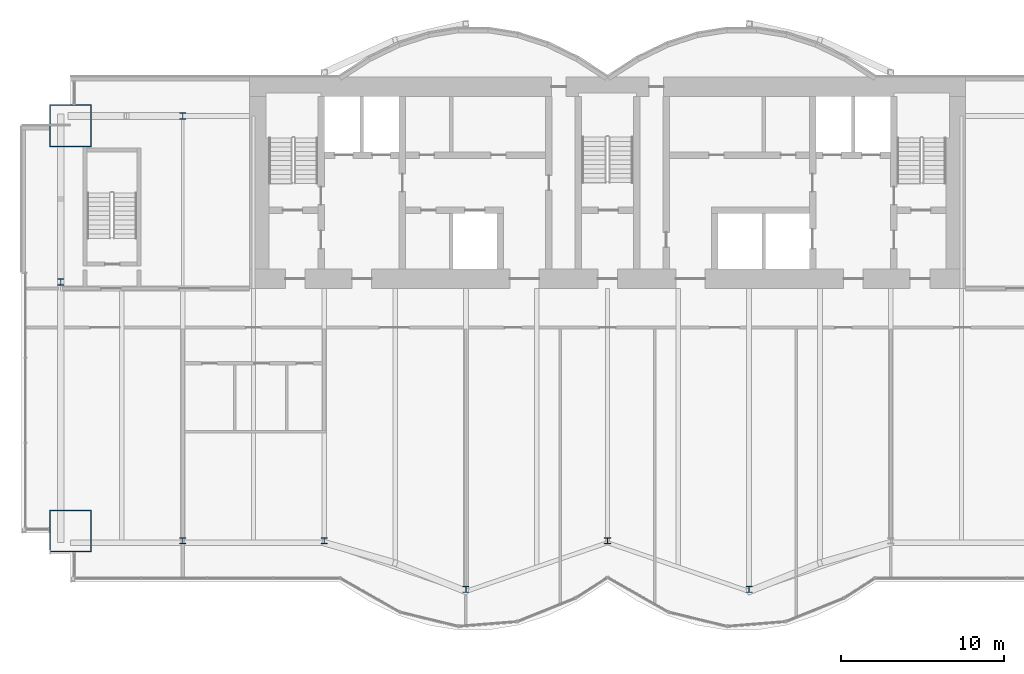
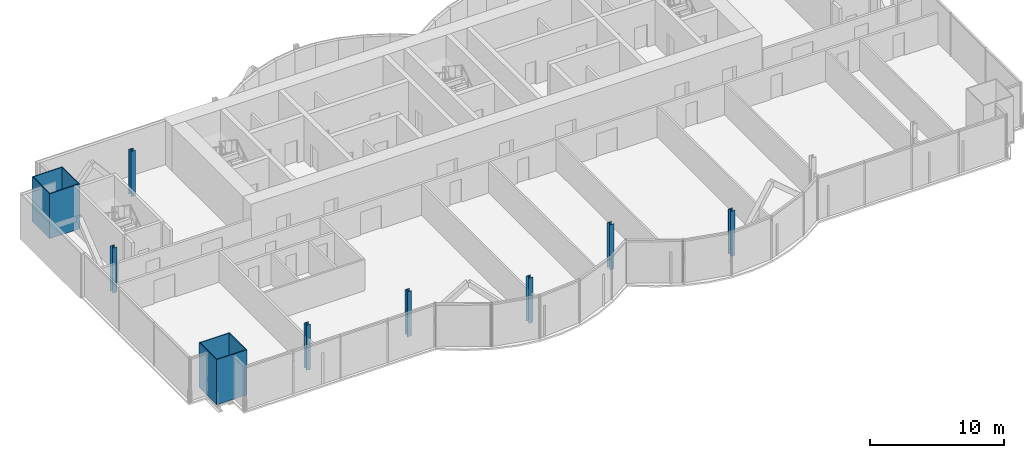
# One storey, part 1 of 20: 9 columns.
"""IFC4 building model written with IfcOpenShell, lengths in metres."""

from ifc_helpers import new_model, si_unit, direction, frame, origin, origin_2d, place, context, subcontext, project, spatial, hollow_rectangle, i_section, extrude, material, material_profile, profile_set, type_object, element, save


model = new_model("IFC4")

# Units and contexts
model_context = context("Model", 3, precision=1e-05, world=origin(), true_north=direction((0.0, 1.0)))
body_context = subcontext(model_context, "Body", "Model", "MODEL_VIEW")
ifc_project = project(units=[si_unit("LENGTHUNIT", "METRE"), si_unit("AREAUNIT", "SQUARE_METRE"), si_unit("VOLUMEUNIT", "CUBIC_METRE"), si_unit("PLANEANGLEUNIT", "RADIAN"), si_unit("MASSUNIT", "GRAM", prefix="KILO")], contexts=[model_context])

# Site, building, storey
site_placement = place(None, origin())
site = spatial("IfcSite", under=ifc_project, at=site_placement, CompositionType="ELEMENT")
building_placement = place(site_placement, origin())
building = spatial("IfcBuilding", under=site, at=building_placement, Name="Bicima Exchange Tower", CompositionType="ELEMENT")
storey_placement = place(building_placement, frame((0.0, 0.0, 227.800048828125)))
storey = spatial("IfcBuildingStorey", under=building, at=storey_placement, Name="L51", CompositionType="ELEMENT", Elevation=227.800048828125)

# Columns
ifc_material_1 = material(Name="Steel ASTM A572 Gr 50", Category="steel")
ifc_material_profile_1 = material_profile(ifc_material_1, hollow_rectangle(XDim=2.60009765625, YDim=2.60009765625, WallThickness=0.070068359375, at=origin_2d()))
ifc_profile_set_1 = profile_set([ifc_material_profile_1], Name="Steel ASTM A572 Gr 50")
column_type_1 = type_object("IfcColumnType", Name="Mega column BOX 2600x2600x70", PredefinedType="COLUMN", material=ifc_profile_set_1)
for number, where, z_axis, x_axis, name in (
    (1, (-33.0, -27.89794921875, 0.0), (0.0, 0.0, 1.0), (1.0, 0.0, 0.0), "Mega column mega-33.0f"),
    (2, (-33.0, -3.0, 0.0), (0.0, 0.0, 1.0), (1.0, 0.0, 0.0), "Mega column mega-33.0r"),
):
    element("IfcColumn", number, at=place(storey_placement, frame(where, z_axis=z_axis, x_axis=x_axis)), inside=storey, type_object=column_type_1, Name=name, PredefinedType="COLUMN", context=body_context, shape_type="SweptSolid", body=[
        extrude(hollow_rectangle(XDim=2.60009765625, YDim=2.60009765625, WallThickness=0.070068359375, at=origin_2d()), origin(), (0.0, 0.0, 1.0), 4.099853515625),
    ])
ifc_material_2 = material(Name="Steel ASTM A992 Gr 50", Category="steel")
ifc_material_profile_2 = material_profile(ifc_material_2, i_section(OverallWidth=0.373291015625, OverallDepth=0.373291015625, WebThickness=0.016357421875, FlangeThickness=0.026123046875, at=origin_2d()))
ifc_profile_set_2 = profile_set([ifc_material_profile_2], Name="Steel ASTM A992 Gr 50")
column_type_2 = type_object("IfcColumnType", Name="Perimeter column W14x132", PredefinedType="COLUMN", material=ifc_profile_set_2)
for number, where, z_axis, x_axis, name in (
    (3, (-26.10009765625, -28.498046875, 0.0), (0.0, 0.0, 1.0), (1.0, 0.0, 0.0), "Perimeter column grav-26.1f"),
    (4, (-26.10009765625, -2.39990234375, 0.0), (0.0, 0.0, 1.0), (1.0, 0.0, 0.0), "Perimeter column grav-26.1r"),
    (5, (-17.39990234375, -28.498046875, 0.0), (0.0, 0.0, 1.0), (1.0, 0.0, 0.0), "Perimeter column grav-17.4f"),
    (6, (-8.699951171875, -31.489013671875, 0.0), (0.0, 0.0, 1.0), (1.0, 0.0, 0.0), "Perimeter column grav-8.7f"),
    (7, (0.0, -28.498046875, 0.0), (0.0, 0.0, 1.0), (1.0, 0.0, 0.0), "Perimeter column grav-0.0f"),
    (8, (8.699951171875, -31.489013671875, 0.0), (0.0, 0.0, 1.0), (1.0, 0.0, 0.0), "Perimeter column grav+8.7f"),
    (9, (-33.60009765625, -12.60009765625, 0.0), (0.0, 0.0, 1.0), (1.0, 0.0, 0.0), "End column end-33.6e"),
):
    element("IfcColumn", number, at=place(storey_placement, frame(where, z_axis=z_axis, x_axis=x_axis)), inside=storey, type_object=column_type_2, Name=name, PredefinedType="COLUMN", context=body_context, shape_type="SweptSolid", body=[
        extrude(i_section(OverallWidth=0.373291015625, OverallDepth=0.373291015625, WebThickness=0.016357421875, FlangeThickness=0.026123046875, at=origin_2d()), origin(), (0.0, 0.0, 1.0), 4.099853515625),
    ])

save(model, "model.ifc")
